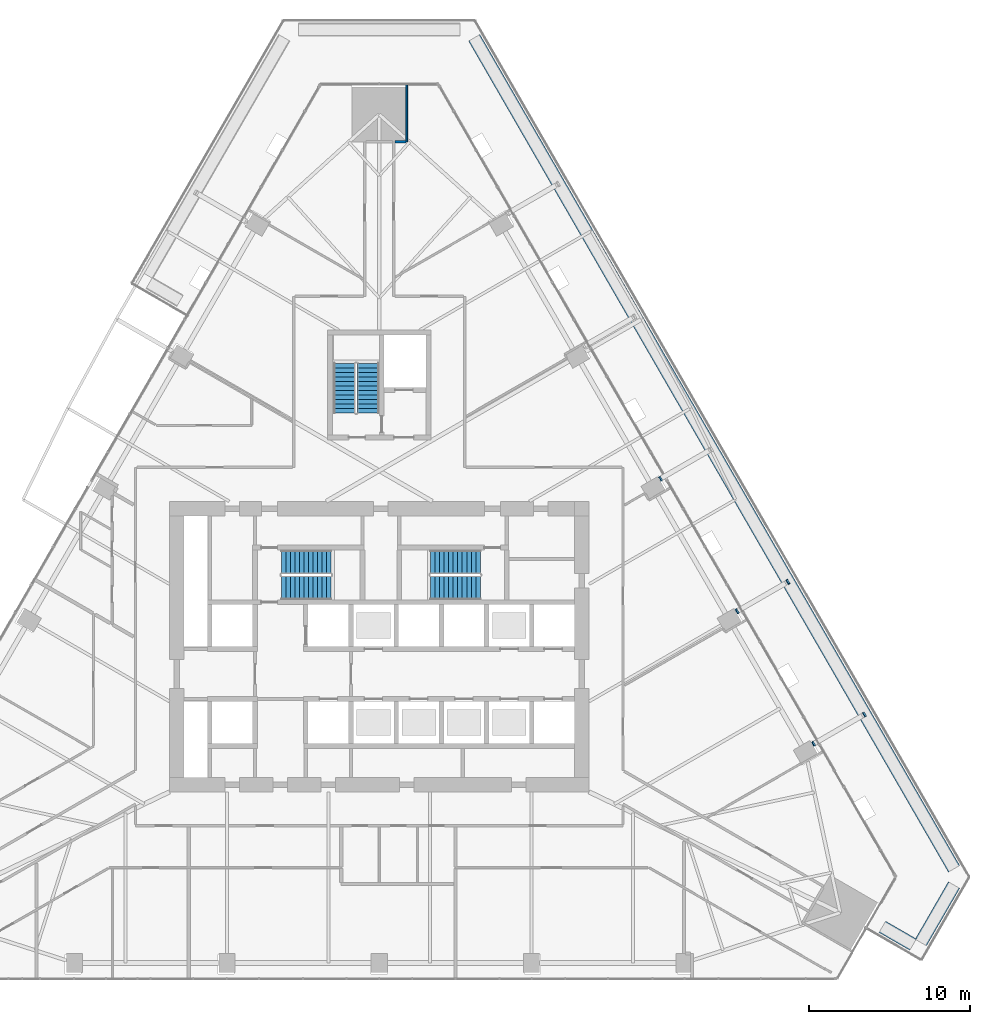
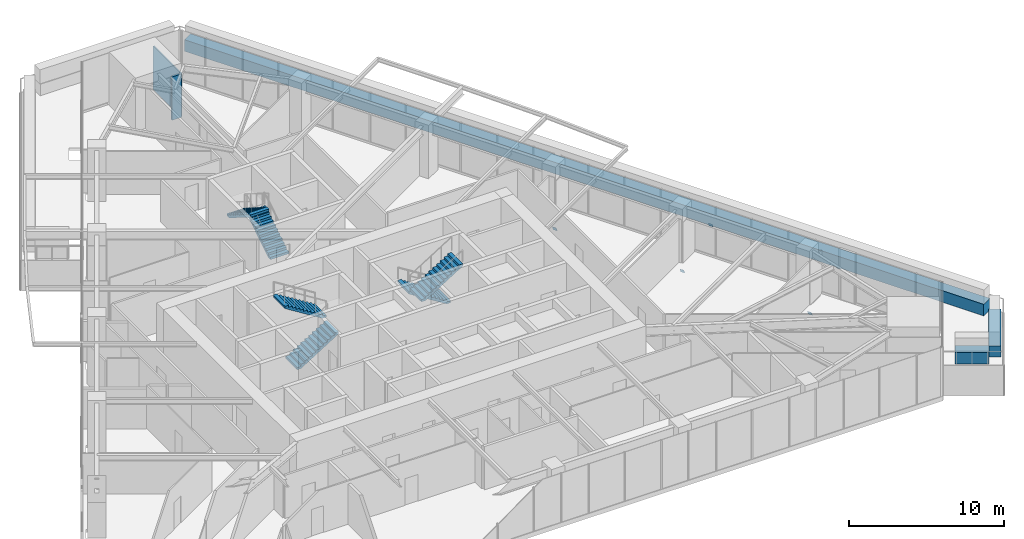
# One storey, part 25 of 29: 6 stair flights, 5 discrete accessories, 5 walls, 3 elements without a shape of their own.
"""IFC4 building model written with IfcOpenShell, lengths in metres."""

from ifc_helpers import new_model, si_unit, direction, frame, frame_2d, origin, place, context, subcontext, project, spatial, polyline, rectangle, outline, extrude, material, layer, layer_set, type_object, element, aggregate, save


model = new_model("IFC4")

# Units and contexts
model_context = context("Model", 3, precision=1e-05, world=origin(), true_north=direction((0.0, 1.0)))
body_context = subcontext(model_context, "Body", "Model", "MODEL_VIEW")
ifc_project = project(units=[si_unit("LENGTHUNIT", "METRE"), si_unit("AREAUNIT", "SQUARE_METRE"), si_unit("VOLUMEUNIT", "CUBIC_METRE"), si_unit("PLANEANGLEUNIT", "RADIAN"), si_unit("MASSUNIT", "GRAM", prefix="KILO")], contexts=[model_context])

# Site, building, storey
site_placement = place(None, origin())
site = spatial("IfcSite", under=ifc_project, at=site_placement, CompositionType="ELEMENT")
building_placement = place(site_placement, origin())
building = spatial("IfcBuilding", under=site, at=building_placement, Name="Firuza Gate Tower and Library", CompositionType="ELEMENT")
storey_placement = place(building_placement, frame((0.0, 0.0, 82.0)))
storey = spatial("IfcBuildingStorey", under=building, at=storey_placement, Name="L18", CompositionType="ELEMENT", Elevation=82.0)

# Walls
ifc_material_1 = material(Name="Gypsum board partition")
ifc_layer_1 = layer(ifc_material_1, 0.14990234375)
ifc_layer_set_1 = layer_set([ifc_layer_1], Name="Corridor wall 150 double board on steel studs")
wall_type_1 = type_object("IfcWallType", Name="Corridor wall 150 double board on steel studs", PredefinedType="PARTITIONING", material=ifc_layer_set_1)
wall_1_placement = place(storey_placement, frame((75.97509765625, 106.26611328125, 0.0), z_axis=(0.0, 0.0, 1.0), x_axis=(1.0, 0.0, 0.0)))
element("IfcWall", 1, at=wall_1_placement, inside=storey, type_object=wall_type_1, Name="f:L18:w077", PredefinedType="PARTITIONING", context=body_context, shape_type="SweptSolid", body=[
    extrude(rectangle(XDim=0.67431640625, YDim=0.14990234375, at=frame_2d((0.337158203125, 0.0))), origin(), (0.0, 0.0, 1.0), 3.39990234375),
])
ifc_material_2 = material(Name="Gypsum board partition")
ifc_layer_2 = layer(ifc_material_2, 0.10009765625)
ifc_layer_set_2 = layer_set([ifc_layer_2], Name="Partition 100 gypsum board on steel studs")
wall_type_2 = type_object("IfcWallType", Name="Partition 100 gypsum board on steel studs", PredefinedType="PARTITIONING", material=ifc_layer_set_2)
wall_2_placement = place(storey_placement, frame((76.699951171875, 106.2666015625, 0.0), z_axis=(0.0, 0.0, 1.0), x_axis=(0.0, 1.0, 0.0)))
element("IfcWall", 2, at=wall_2_placement, inside=storey, type_object=wall_type_2, Name="f:L18:w038", PredefinedType="PARTITIONING", context=body_context, shape_type="SweptSolid", body=[
    extrude(rectangle(XDim=3.5595703125, YDim=0.10009765625, at=frame_2d((1.77978515625, 0.0))), origin(), (0.0, 0.0, 1.0), 3.39990234375),
])
ifc_material_3 = material(Name="Concrete C40/50", Category="concrete")
ifc_layer_3 = layer(ifc_material_3, 0.800048828125)
ifc_layer_set_3 = layer_set([ifc_layer_3], Name="Planter wall 800")
wall_type_3 = type_object("IfcWallType", Name="Planter wall 800", PredefinedType="SOLIDWALL", material=ifc_layer_set_3)
wall_3_placement = place(storey_placement, frame((106.162841796875, 57.643310546875, 0.0), z_axis=(0.0, 0.0, 1.0), x_axis=(0.866008176907, -0.50002983664, 0.0)))
element("IfcWall", 3, at=wall_3_placement, inside=storey, type_object=wall_type_3, Name="PLANTER L18 1", PredefinedType="SOLIDWALL", context=body_context, shape_type="SweptSolid", body=[
    extrude(rectangle(XDim=2.199951171875, YDim=0.800048828125, at=frame_2d((1.10009765625, 0.0))), origin(), (0.0, 0.0, 1.0), 0.89990234375),
])
wall_4_placement = place(storey_placement, frame((108.546142578125, 56.67138671875, 0.0), z_axis=(0.0, 0.0, 1.0), x_axis=(0.49999844609, 0.866026300933, 0.0)))
element("IfcWall", 4, at=wall_4_placement, inside=storey, type_object=wall_type_3, Name="PLANTER L18 2", PredefinedType="SOLIDWALL", context=body_context, shape_type="SweptSolid", body=[
    extrude(rectangle(XDim=4.109375, YDim=0.800048828125, at=frame_2d((2.0546875, 0.0))), origin(), (0.0, 0.0, 1.0), 0.89990234375),
])
wall_5_placement = place(storey_placement, frame((110.600830078125, 61.239013671875, 0.0), z_axis=(0.0, 0.0, 1.0), x_axis=(-0.499998492585, 0.866026274089, 0.0)))
element("IfcWall", 5, at=wall_5_placement, inside=storey, type_object=wall_type_3, Name="PLANTER L18 3", PredefinedType="SOLIDWALL", context=body_context, shape_type="SweptSolid", body=[
    extrude(rectangle(XDim=59.435791015625, YDim=0.800048828125, at=frame_2d((29.7177734375, 0.0))), origin(), (0.0, 0.0, 1.0), 0.89990234375),
])

# Stair, stair flights
ifc_material_4 = material(Name="Concrete C35/45", Category="concrete")
stair_type_1 = type_object("IfcStairType", Name="Exit stair ST14", PredefinedType="HALF_TURN_STAIR", material=ifc_material_4)
placement = place(storey_placement, origin())
stair_1 = element("IfcStair", 6, at=placement, inside=storey, type_object=stair_type_1, Name="L18 Stair ST3", PredefinedType="HALF_TURN_STAIR")
ifc_material_5 = material(Name="Concrete C35/45", Category="concrete")
stair_flight_type_1 = type_object("IfcStairFlightType", Name="Stair flight 12 risers 175 width 1370", PredefinedType="STRAIGHT", material=ifc_material_5)
stair_flight_1_placement = place(storey_placement, frame((74.31494140625, 89.469970703125, 0.0), z_axis=(0.0, 0.0, 1.0), x_axis=(0.0, 1.0, 0.0)))
stair_flight_1 = element("IfcStairFlight", 7, at=stair_flight_1_placement, type_object=stair_flight_type_1, Name="ST3 flight 1", NumberOfRisers=12, NumberOfTreads=11, PredefinedType="STRAIGHT", RiserHeight=0.175, TreadLength=0.28, context=body_context, shape_type="SweptSolid", body=[
    extrude(outline(polyline([(0.0, 0.0), (0.0, 0.175048828125), (0.280029296875, 0.175048828125), (0.280029296875, 0.35009765625), (0.56005859375, 0.35009765625), (0.56005859375, 0.52490234375), (0.840087890625, 0.52490234375), (0.840087890625, 0.699951171875), (1.1201171875, 0.699951171875), (1.1201171875, 0.875), (1.39990234375, 0.875), (1.39990234375, 1.050048828125), (1.679931640625, 1.050048828125), (1.679931640625, 1.22509765625), (1.9599609375, 1.22509765625), (1.9599609375, 1.39990234375), (2.239990234375, 1.39990234375), (2.239990234375, 1.574951171875), (2.52001953125, 1.574951171875), (2.52001953125, 1.75), (2.800048828125, 1.75), (2.800048828125, 1.925048828125), (3.080078125, 1.925048828125), (3.080078125, 2.10009765625), (3.080078125, 1.748291015625), (0.28271484375, 0.0), (0.0, 0.0)])), frame((0.0, 0.68505859375, 0.0), z_axis=(0.0, -1.0, 0.0), x_axis=(1.0, 0.0, 0.0)), (0.0, 0.0, 1.0), 1.3701171875),
])
stair_flight_2_placement = place(storey_placement, frame((72.844970703125, 92.550048828125, 2.10009765625), z_axis=(0.0, 0.0, 1.0), x_axis=(0.0, -1.0, 0.0)))
stair_flight_2 = element("IfcStairFlight", 8, at=stair_flight_2_placement, type_object=stair_flight_type_1, Name="ST3 flight 2", NumberOfRisers=12, NumberOfTreads=11, PredefinedType="STRAIGHT", RiserHeight=0.175, TreadLength=0.28, context=body_context, shape_type="SweptSolid", body=[
    extrude(outline(polyline([(0.0, 0.0), (0.0, 0.175048828125), (0.280029296875, 0.175048828125), (0.280029296875, 0.35009765625), (0.56005859375, 0.35009765625), (0.56005859375, 0.52490234375), (0.840087890625, 0.52490234375), (0.840087890625, 0.699951171875), (1.1201171875, 0.699951171875), (1.1201171875, 0.875), (1.39990234375, 0.875), (1.39990234375, 1.050048828125), (1.679931640625, 1.050048828125), (1.679931640625, 1.22509765625), (1.9599609375, 1.22509765625), (1.9599609375, 1.39990234375), (2.239990234375, 1.39990234375), (2.239990234375, 1.574951171875), (2.52001953125, 1.574951171875), (2.52001953125, 1.75), (2.800048828125, 1.75), (2.800048828125, 1.925048828125), (3.080078125, 1.925048828125), (3.080078125, 2.10009765625), (3.080078125, 1.748291015625), (0.28271484375, 0.0), (0.0, 0.0)])), frame((0.0, 0.68505859375, 0.0), z_axis=(0.0, -1.0, 0.0), x_axis=(1.0, 0.0, 0.0)), (0.0, 0.0, 1.0), 1.3701171875),
])
aggregate(stair_1, [stair_flight_1, stair_flight_2])

ifc_material_6 = material(Name="Concrete C35/45", Category="concrete")
stair_type_2 = type_object("IfcStairType", Name="Exit stair ST5", PredefinedType="HALF_TURN_STAIR", material=ifc_material_6)
stair_2 = element("IfcStair", 9, at=placement, inside=storey, type_object=stair_type_2, Name="L18 Stair ST1", PredefinedType="HALF_TURN_STAIR")
ifc_material_7 = material(Name="Concrete C35/45", Category="concrete")
stair_flight_type_2 = type_object("IfcStairFlightType", Name="Stair flight 12 risers 175 width 1490", PredefinedType="STRAIGHT", material=ifc_material_7)
stair_flight_3_placement = place(storey_placement, frame((68.93994140625, 78.64501953125, 0.0), z_axis=(0.0, 0.0, 1.0), x_axis=(1.0, 0.0, 0.0)))
stair_flight_3 = element("IfcStairFlight", 10, at=stair_flight_3_placement, type_object=stair_flight_type_2, Name="ST1 flight 1", NumberOfRisers=12, NumberOfTreads=11, PredefinedType="STRAIGHT", RiserHeight=0.175, TreadLength=0.28, context=body_context, shape_type="SweptSolid", body=[
    extrude(outline(polyline([(0.0, 0.0), (0.0, 0.175048828125), (0.280029296875, 0.175048828125), (0.280029296875, 0.35009765625), (0.56005859375, 0.35009765625), (0.56005859375, 0.52490234375), (0.840087890625, 0.52490234375), (0.840087890625, 0.699951171875), (1.1201171875, 0.699951171875), (1.1201171875, 0.875), (1.39990234375, 0.875), (1.39990234375, 1.050048828125), (1.679931640625, 1.050048828125), (1.679931640625, 1.22509765625), (1.9599609375, 1.22509765625), (1.9599609375, 1.39990234375), (2.239990234375, 1.39990234375), (2.239990234375, 1.574951171875), (2.52001953125, 1.574951171875), (2.52001953125, 1.75), (2.800048828125, 1.75), (2.800048828125, 1.925048828125), (3.080078125, 1.925048828125), (3.080078125, 2.10009765625), (3.080078125, 1.748291015625), (0.28271484375, 0.0), (0.0, 0.0)])), frame((0.0, 0.7451171875, 0.0), z_axis=(0.0, -1.0, 0.0), x_axis=(1.0, 0.0, 0.0)), (0.0, 0.0, 1.0), 1.489990234375),
])
stair_flight_4_placement = place(storey_placement, frame((72.02001953125, 80.235107421875, 2.10009765625), z_axis=(0.0, 0.0, 1.0), x_axis=(-1.0, 0.0, 0.0)))
stair_flight_4 = element("IfcStairFlight", 11, at=stair_flight_4_placement, type_object=stair_flight_type_2, Name="ST1 flight 2", NumberOfRisers=12, NumberOfTreads=11, PredefinedType="STRAIGHT", RiserHeight=0.175, TreadLength=0.28, context=body_context, shape_type="SweptSolid", body=[
    extrude(outline(polyline([(0.0, 0.0), (0.0, 0.175048828125), (0.280029296875, 0.175048828125), (0.280029296875, 0.35009765625), (0.56005859375, 0.35009765625), (0.56005859375, 0.52490234375), (0.840087890625, 0.52490234375), (0.840087890625, 0.699951171875), (1.1201171875, 0.699951171875), (1.1201171875, 0.875), (1.39990234375, 0.875), (1.39990234375, 1.050048828125), (1.679931640625, 1.050048828125), (1.679931640625, 1.22509765625), (1.9599609375, 1.22509765625), (1.9599609375, 1.39990234375), (2.239990234375, 1.39990234375), (2.239990234375, 1.574951171875), (2.52001953125, 1.574951171875), (2.52001953125, 1.75), (2.800048828125, 1.75), (2.800048828125, 1.925048828125), (3.080078125, 1.925048828125), (3.080078125, 2.10009765625), (3.080078125, 1.748291015625), (0.28271484375, 0.0), (0.0, 0.0)])), frame((0.0, 0.7451171875, 0.0), z_axis=(0.0, -1.0, 0.0), x_axis=(1.0, 0.0, 0.0)), (0.0, 0.0, 1.0), 1.489990234375),
])
aggregate(stair_2, [stair_flight_3, stair_flight_4])

stair_3 = element("IfcStair", 12, at=placement, inside=storey, type_object=stair_type_2, Name="L18 Stair ST2", PredefinedType="HALF_TURN_STAIR")
stair_flight_5_placement = place(storey_placement, frame((81.260009765625, 80.235107421875, 0.0), z_axis=(0.0, 0.0, 1.0), x_axis=(-1.0, 0.0, 0.0)))
stair_flight_5 = element("IfcStairFlight", 13, at=stair_flight_5_placement, type_object=stair_flight_type_2, Name="ST2 flight 1", NumberOfRisers=12, NumberOfTreads=11, PredefinedType="STRAIGHT", RiserHeight=0.175, TreadLength=0.28, context=body_context, shape_type="SweptSolid", body=[
    extrude(outline(polyline([(0.0, 0.0), (0.0, 0.175048828125), (0.280029296875, 0.175048828125), (0.280029296875, 0.35009765625), (0.56005859375, 0.35009765625), (0.56005859375, 0.52490234375), (0.840087890625, 0.52490234375), (0.840087890625, 0.699951171875), (1.1201171875, 0.699951171875), (1.1201171875, 0.875), (1.39990234375, 0.875), (1.39990234375, 1.050048828125), (1.679931640625, 1.050048828125), (1.679931640625, 1.22509765625), (1.9599609375, 1.22509765625), (1.9599609375, 1.39990234375), (2.239990234375, 1.39990234375), (2.239990234375, 1.574951171875), (2.52001953125, 1.574951171875), (2.52001953125, 1.75), (2.800048828125, 1.75), (2.800048828125, 1.925048828125), (3.080078125, 1.925048828125), (3.080078125, 2.10009765625), (3.080078125, 1.748291015625), (0.28271484375, 0.0), (0.0, 0.0)])), frame((0.0, 0.7451171875, 0.0), z_axis=(0.0, -1.0, 0.0), x_axis=(1.0, 0.0, 0.0)), (0.0, 0.0, 1.0), 1.489990234375),
])
stair_flight_6_placement = place(storey_placement, frame((78.179931640625, 78.64501953125, 2.10009765625), z_axis=(0.0, 0.0, 1.0), x_axis=(1.0, 0.0, 0.0)))
stair_flight_6 = element("IfcStairFlight", 14, at=stair_flight_6_placement, type_object=stair_flight_type_2, Name="ST2 flight 2", NumberOfRisers=12, NumberOfTreads=11, PredefinedType="STRAIGHT", RiserHeight=0.175, TreadLength=0.28, context=body_context, shape_type="SweptSolid", body=[
    extrude(outline(polyline([(0.0, 0.0), (0.0, 0.175048828125), (0.280029296875, 0.175048828125), (0.280029296875, 0.35009765625), (0.56005859375, 0.35009765625), (0.56005859375, 0.52490234375), (0.840087890625, 0.52490234375), (0.840087890625, 0.699951171875), (1.1201171875, 0.699951171875), (1.1201171875, 0.875), (1.39990234375, 0.875), (1.39990234375, 1.050048828125), (1.679931640625, 1.050048828125), (1.679931640625, 1.22509765625), (1.9599609375, 1.22509765625), (1.9599609375, 1.39990234375), (2.239990234375, 1.39990234375), (2.239990234375, 1.574951171875), (2.52001953125, 1.574951171875), (2.52001953125, 1.75), (2.800048828125, 1.75), (2.800048828125, 1.925048828125), (3.080078125, 1.925048828125), (3.080078125, 2.10009765625), (3.080078125, 1.748291015625), (0.28271484375, 0.0), (0.0, 0.0)])), frame((0.0, 0.7451171875, 0.0), z_axis=(0.0, -1.0, 0.0), x_axis=(1.0, 0.0, 0.0)), (0.0, 0.0, 1.0), 1.489990234375),
])
aggregate(stair_3, [stair_flight_5, stair_flight_6])

# Discrete accessories
ifc_material_8 = material(Name="Steel S355", Category="steel")
ifc_layer_4 = layer(ifc_material_8, 0.02001953125)
ifc_layer_set_4 = layer_set([ifc_layer_4], Name="Strut seat plate 304x304x20 Steel S355")
discrete_accessory_type = type_object("IfcDiscreteAccessoryType", Name="Strut seat plate 304x304x20 Steel S355", PredefinedType="BRACKET", material=ifc_layer_set_4)
discrete_accessory_1_placement = place(storey_placement, frame((101.7939453125, 69.0859375, -1.53564453125), z_axis=(0.807145380377, 0.465718392017, 0.362798448554), x_axis=(0.499768824934, -0.866158831638, 0.0)))
element("IfcDiscreteAccessory", 15, at=discrete_accessory_1_placement, inside=storey, type_object=discrete_accessory_type, Name="Strut seat plate L18 col:L17:E1", PredefinedType="BRACKET", context=body_context, shape_type="SweptSolid", body=[
    extrude(outline(polyline([(0.0, 0.0), (0.303851423245716, 0.0), (0.3037678574739876, 0.3039091765001211), (-8.356577172844699e-05, 0.3039091765001211), (0.0, 0.0)])), origin(), (0.0, 0.0, -1.0), 0.02001953125),
])
discrete_accessory_2_placement = place(storey_placement, frame((105.095947265625, 70.641357421875, -0.12109375), z_axis=(0.806973625326, 0.46615166303, 0.362624040962), x_axis=(-0.500174479618, 0.865924641835, -6.7835374e-05)))
element("IfcDiscreteAccessory", 16, at=discrete_accessory_2_placement, inside=storey, type_object=discrete_accessory_type, Name="Strut seat plate L18 col:L17:E1", PredefinedType="BRACKET", context=body_context, shape_type="SweptSolid", body=[
    extrude(outline(polyline([(0.0, 0.0), (0.3041849095073422, -6.938893903907228e-18), (0.3040246340961719, -0.30386491064819526), (5.113197209020785e-05, -0.3039091783605066), (0.0, 0.0)])), origin(), (0.0, 0.0, -1.0), 0.02001953125),
])
discrete_accessory_3_placement = place(storey_placement, frame((97.05126953125, 77.300537109375, -1.53564453125), z_axis=(0.807237427615, 0.465929808707, 0.362321885644), x_axis=(0.499958602815, -0.866049283329, -0.00018524837)))
element("IfcDiscreteAccessory", 17, at=discrete_accessory_3_placement, inside=storey, type_object=discrete_accessory_type, Name="Strut seat plate L18 col:L17:E2", PredefinedType="BRACKET", context=body_context, shape_type="SweptSolid", body=[
    extrude(outline(polyline([(0.0, 0.0), (0.3039734709429158, 0.0), (0.30405590611344857, 0.3037882991034882), (-6.942437014411382e-06, 0.30390914817082026), (0.0, 0.0)])), origin(), (0.0, 0.0, -1.0), 0.02001953125),
])
discrete_accessory_4_placement = place(storey_placement, frame((100.353271484375, 78.85595703125, -0.12109375), z_axis=(0.806973625326, 0.46615166303, 0.362624040962), x_axis=(-0.500220207533, 0.865898226911, 6.7882551e-05)))
element("IfcDiscreteAccessory", 18, at=discrete_accessory_4_placement, inside=storey, type_object=discrete_accessory_type, Name="Strut seat plate L18 col:L17:E2", PredefinedType="BRACKET", context=body_context, shape_type="SweptSolid", body=[
    extrude(outline(polyline([(0.0, 0.0), (0.30397350534743883, 1.3877787807814457e-17), (0.3039803789746254, -0.3039091825841892), (-0.00020452730711793783, -0.3038648840850547), (0.0, 0.0)])), origin(), (0.0, 0.0, -1.0), 0.02001953125),
])
discrete_accessory_5_placement = place(storey_placement, frame((92.30859375, 85.51513671875, -1.53564453125), z_axis=(0.807237427615, 0.465929808707, 0.362321885644), x_axis=(0.499912951067, -0.866075654255, -4.9626419e-05)))
element("IfcDiscreteAccessory", 19, at=discrete_accessory_5_placement, inside=storey, type_object=discrete_accessory_type, Name="Strut seat plate L18 col:L17:E3", PredefinedType="BRACKET", context=body_context, shape_type="SweptSolid", body=[
    extrude(outline(polyline([(0.0, 0.0), (0.30418491197645486, -6.938893903907228e-18), (0.3040116990127035, 0.30383253870852944), (0.00016028034809466003, 0.30386491311730407), (0.0, 0.0)])), origin(), (0.0, 0.0, -1.0), 0.02001953125),
])

save(model, "model.ifc")
